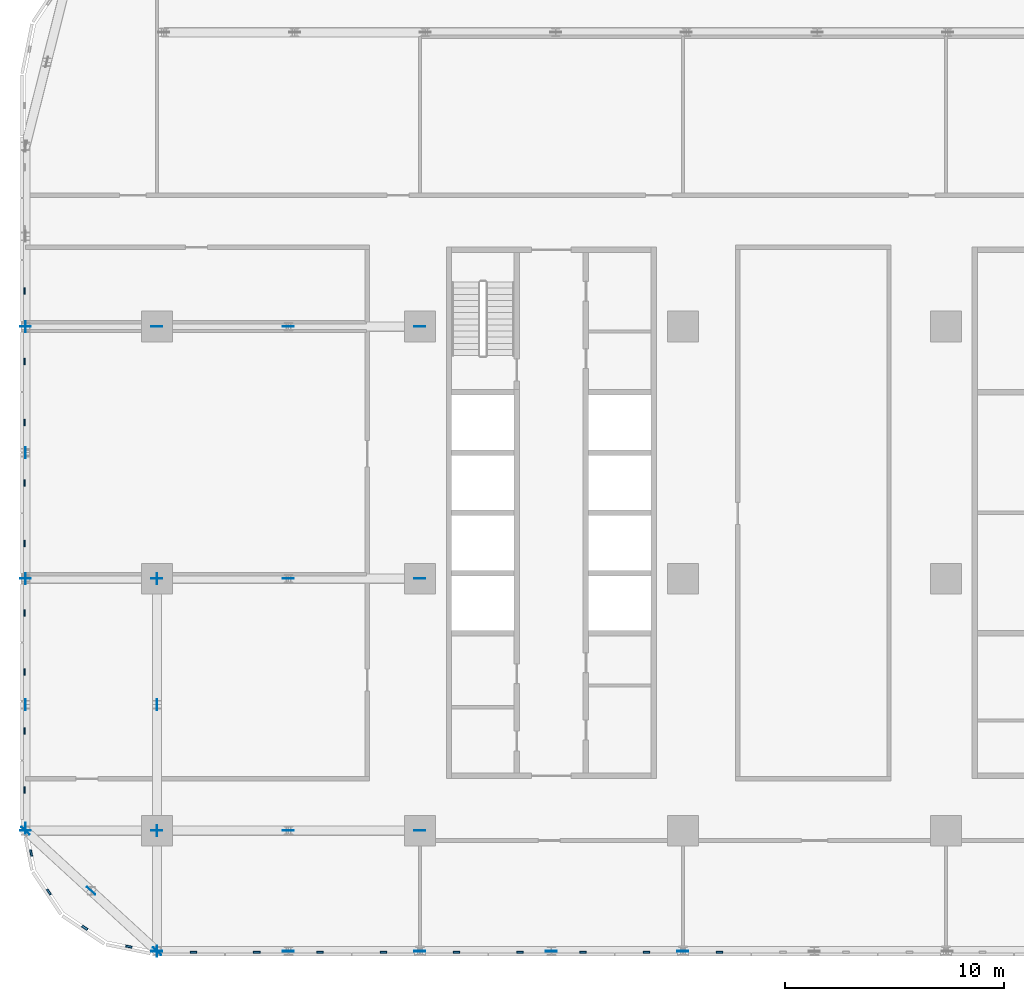
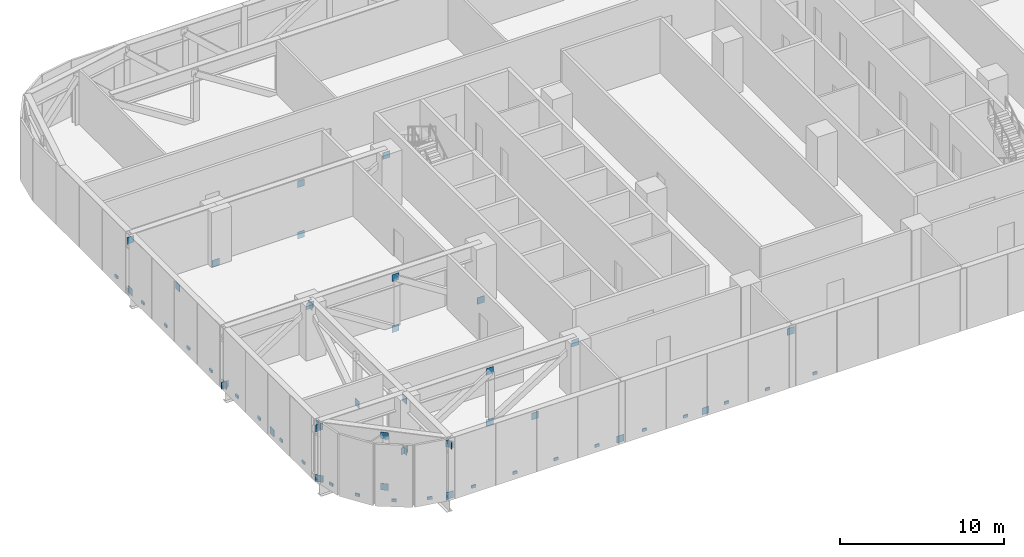
# One storey, part 14 of 26: 56 discrete accessories.
"""IFC4 building model written with IfcOpenShell, lengths in metres."""

from ifc_helpers import new_model, si_unit, direction, frame, origin, origin_2d, place, context, subcontext, project, spatial, rectangle, extrude, material, layer, layer_set, type_object, element, save


model = new_model("IFC4")

# Units and contexts
model_context = context("Model", 3, precision=1e-05, world=origin(), true_north=direction((0.0, 1.0)))
body_context = subcontext(model_context, "Body", "Model", "MODEL_VIEW")
ifc_project = project(units=[si_unit("LENGTHUNIT", "METRE"), si_unit("AREAUNIT", "SQUARE_METRE"), si_unit("VOLUMEUNIT", "CUBIC_METRE"), si_unit("PLANEANGLEUNIT", "RADIAN"), si_unit("MASSUNIT", "GRAM", prefix="KILO")], contexts=[model_context])

# Site, building, storey
site_placement = place(None, origin())
site = spatial("IfcSite", under=ifc_project, at=site_placement, CompositionType="ELEMENT")
building_placement = place(site_placement, origin())
building = spatial("IfcBuilding", under=site, at=building_placement, Name="Mahtab Terrace Research Tower", CompositionType="ELEMENT")
storey_placement = place(building_placement, frame((0.0, 0.0, 117.60009765625)))
storey = spatial("IfcBuildingStorey", under=building, at=storey_placement, Name="L27", CompositionType="ELEMENT", Elevation=117.60009765625)

# Discrete accessories
ifc_material_1 = material(Name="Black anodised aluminium", Category="aluminium")
discrete_accessory_type_1 = type_object("IfcDiscreteAccessoryType", Name="Facade bracket", PredefinedType="BRACKET", material=ifc_material_1)
for number, where, z_axis, x_axis, name in (
    (1, (-48.044921875, 13.128173828125, -0.30029296875), (0.0, 0.0, 1.0), (0.0, -1.0, 0.0), "Louvre bracket L27 59"),
    (2, (-48.044921875, 9.89892578125, -0.30029296875), (0.0, 0.0, 1.0), (0.0, -1.0, 0.0), "Louvre bracket L27 60"),
    (3, (-48.044921875, 7.133056640625, -0.30029296875), (0.0, 0.0, 1.0), (0.0, -1.0, 0.0), "Louvre bracket L27 61"),
    (4, (-48.044921875, 4.366943359375, -0.30029296875), (0.0, 0.0, 1.0), (0.0, -1.0, 0.0), "Louvre bracket L27 62"),
    (5, (-48.044921875, 1.60107421875, -0.30029296875), (0.0, 0.0, 1.0), (0.0, -1.0, 0.0), "Louvre bracket L27 63"),
    (6, (-48.044921875, -1.565673828125, -0.30029296875), (0.0, 0.0, 1.0), (0.0, -1.0, 0.0), "Louvre bracket L27 64"),
    (7, (-48.044921875, -4.26123046875, -0.30029296875), (0.0, 0.0, 1.0), (0.0, -1.0, 0.0), "Louvre bracket L27 65"),
    (8, (-48.044921875, -6.956787109375, -0.30029296875), (0.0, 0.0, 1.0), (0.0, -1.0, 0.0), "Louvre bracket L27 66"),
    (9, (-48.044921875, -9.65234375, -0.30029296875), (0.0, 0.0, 1.0), (0.0, -1.0, 0.0), "Louvre bracket L27 67"),
    (10, (-47.74267578125, -12.52294921875, -0.30029296875), (0.0, 0.0, 1.0), (0.195212442692, -0.980760981187, 0.0), "Louvre bracket L27 68"),
    (11, (-46.930419921875, -14.29443359375, -0.30029296875), (0.0, 0.0, 1.0), (0.555291490808, -0.831655794326, 0.0), "Louvre bracket L27 69"),
    (12, (-45.29443359375, -15.930419921875, -0.30029296875), (0.0, 0.0, 1.0), (0.831655794326, -0.555291490808, 0.0), "Louvre bracket L27 70"),
    (13, (-43.282470703125, -16.79052734375, -0.30029296875), (0.0, 0.0, 1.0), (0.980760981187, -0.195212442692, 0.0), "Louvre bracket L27 71"),
    (14, (-40.33642578125, -17.044921875, -0.30029296875), (0.0, 0.0, 1.0), (1.0, 0.0, 0.0), "Louvre bracket L27 72"),
    (15, (-37.445556640625, -17.044921875, -0.30029296875), (0.0, 0.0, 1.0), (1.0, 0.0, 0.0), "Louvre bracket L27 73"),
    (16, (-34.556884765625, -17.044921875, -0.30029296875), (0.0, 0.0, 1.0), (1.0, 0.0, 0.0), "Louvre bracket L27 74"),
    (17, (-31.6708984375, -17.044921875, -0.30029296875), (0.0, 0.0, 1.0), (1.0, 0.0, 0.0), "Louvre bracket L27 75"),
    (18, (-28.3291015625, -17.044921875, -0.30029296875), (0.0, 0.0, 1.0), (1.0, 0.0, 0.0), "Louvre bracket L27 76"),
    (19, (-25.443115234375, -17.044921875, -0.30029296875), (0.0, 0.0, 1.0), (1.0, 0.0, 0.0), "Louvre bracket L27 77"),
    (20, (-22.556884765625, -17.044921875, -0.30029296875), (0.0, 0.0, 1.0), (1.0, 0.0, 0.0), "Louvre bracket L27 78"),
    (21, (-19.6708984375, -17.044921875, -0.30029296875), (0.0, 0.0, 1.0), (1.0, 0.0, 0.0), "Louvre bracket L27 79"),
    (22, (-16.3291015625, -17.044921875, -0.30029296875), (0.0, 0.0, 1.0), (1.0, 0.0, 0.0), "Louvre bracket L27 80"),
):
    element("IfcDiscreteAccessory", number, at=place(storey_placement, frame(where, z_axis=z_axis, x_axis=x_axis)), inside=storey, type_object=discrete_accessory_type_1, Name=name, PredefinedType="BRACKET", context=body_context, shape_type="SweptSolid", body=[
        extrude(rectangle(XDim=0.300048828125, YDim=0.090087890625, at=origin_2d()), origin(), (0.0, 0.0, 1.0), 0.199951171875),
    ])
ifc_material_2 = material(Name="Steel ASTM A992 Gr 50", Category="steel")
ifc_layer = layer(ifc_material_2, 0.030029296875)
ifc_layer_set = layer_set([ifc_layer], Name="Gusset plate 500x500x30")
discrete_accessory_type_2 = type_object("IfcDiscreteAccessoryType", Name="Gusset plate 500x500x30", PredefinedType="USERDEFINED", material=ifc_layer_set)
for number, where, z_axis, x_axis, name in (
    (23, (-48.0, -11.5, 3.251220703125), (0.0, 0.0, 1.0), (1.0, 0.0, 0.0), "Gusset plate"),
    (24, (-48.0, 0.0, -0.558837890625), (0.0, 0.0, 1.0), (1.0, 0.0, 0.0), "Gusset plate"),
    (25, (-48.0, 11.5, 3.251220703125), (0.0, 0.0, 1.0), (1.0, 0.0, 0.0), "Gusset plate"),
    (26, (-42.0, -17.0, -0.558837890625), (0.0, 0.0, 1.0), (1.0, 0.0, 0.0), "Gusset plate"),
    (27, (-42.0, -11.5, -0.558837890625), (0.0, 0.0, 1.0), (1.0, 0.0, 0.0), "Gusset plate"),
    (28, (-42.0, 0.0, 3.251220703125), (0.0, 0.0, 1.0), (1.0, 0.0, 0.0), "Gusset plate"),
    (29, (-42.0, 11.5, -0.558837890625), (0.0, 0.0, 1.0), (1.0, 0.0, 0.0), "Gusset plate"),
    (30, (-36.0, -17.0, 3.251220703125), (0.0, 0.0, 1.0), (1.0, 0.0, 0.0), "Gusset plate"),
    (31, (-36.0, -11.5, -0.558837890625), (0.0, 0.0, 1.0), (1.0, 0.0, 0.0), "Gusset plate"),
    (32, (-36.0, -11.5, 3.251220703125), (0.0, 0.0, 1.0), (1.0, 0.0, 0.0), "Gusset plate"),
    (33, (-36.0, 0.0, -0.558837890625), (0.0, 0.0, 1.0), (1.0, 0.0, 0.0), "Gusset plate"),
    (34, (-36.0, 0.0, 3.251220703125), (0.0, 0.0, 1.0), (1.0, 0.0, 0.0), "Gusset plate"),
    (35, (-36.0, 11.5, -0.558837890625), (0.0, 0.0, 1.0), (1.0, 0.0, 0.0), "Gusset plate"),
    (36, (-36.0, 11.5, 3.251220703125), (0.0, 0.0, 1.0), (1.0, 0.0, 0.0), "Gusset plate"),
    (37, (-30.0, -17.0, -0.558837890625), (0.0, 0.0, 1.0), (1.0, 0.0, 0.0), "Gusset plate"),
    (38, (-30.0, -11.5, 3.251220703125), (0.0, 0.0, 1.0), (1.0, 0.0, 0.0), "Gusset plate"),
    (39, (-30.0, 0.0, -0.558837890625), (0.0, 0.0, 1.0), (1.0, 0.0, 0.0), "Gusset plate"),
    (40, (-30.0, 11.5, 3.251220703125), (0.0, 0.0, 1.0), (1.0, 0.0, 0.0), "Gusset plate"),
    (41, (-24.0, -17.0, -0.558837890625), (0.0, 0.0, 1.0), (1.0, 0.0, 0.0), "Gusset plate"),
    (42, (-18.0, -17.0, 3.251220703125), (0.0, 0.0, 1.0), (1.0, 0.0, 0.0), "Gusset plate"),
    (43, (-48.0, -11.391357421875, 3.3798828125), (0.0, 0.0, 1.0), (0.0, 1.0, 0.0), "Gusset plate"),
    (44, (-48.0, -5.75, -0.558837890625), (0.0, 0.0, 1.0), (0.0, 1.0, 0.0), "Gusset plate"),
    (45, (-48.0, 0.0, -0.558837890625), (0.0, 0.0, 1.0), (0.0, 1.0, 0.0), "Gusset plate"),
    (46, (-48.0, 5.75, 3.251220703125), (0.0, 0.0, 1.0), (0.0, 1.0, 0.0), "Gusset plate"),
    (47, (-48.0, 11.5, -0.558837890625), (0.0, 0.0, 1.0), (0.0, 1.0, 0.0), "Gusset plate"),
    (48, (-42.0, -17.0, 3.251220703125), (0.0, 0.0, 1.0), (0.0, 1.0, 0.0), "Gusset plate"),
    (49, (-42.0, -11.5, -0.558837890625), (0.0, 0.0, 1.0), (0.0, 1.0, 0.0), "Gusset plate"),
    (50, (-42.0, -11.5, 3.251220703125), (0.0, 0.0, 1.0), (0.0, 1.0, 0.0), "Gusset plate"),
    (51, (-42.0, -5.75, -0.558837890625), (0.0, 0.0, 1.0), (0.0, 1.0, 0.0), "Gusset plate"),
    (52, (-42.0, 0.0, 3.251220703125), (0.0, 0.0, 1.0), (0.0, 1.0, 0.0), "Gusset plate"),
    (53, (-48.0, -11.5, -0.558837890625), (0.0, 0.0, 1.0), (-0.737159412846, 0.675718876495, 0.0), "Gusset plate"),
    (54, (-45.0, -14.25, -0.558837890625), (0.0, 0.0, 1.0), (-0.737159412846, 0.675718876495, 0.0), "Gusset plate"),
    (55, (-45.0, -14.25, 3.251220703125), (0.0, 0.0, 1.0), (-0.737159412846, 0.675718876495, 0.0), "Gusset plate"),
    (56, (-42.0, -17.0, 3.251220703125), (0.0, 0.0, 1.0), (-0.737159412846, 0.675718876495, 0.0), "Gusset plate"),
):
    element("IfcDiscreteAccessory", number, at=place(storey_placement, frame(where, z_axis=z_axis, x_axis=x_axis)), inside=storey, type_object=discrete_accessory_type_2, Name=name, ObjectType="GUSSET PLATE", PredefinedType="USERDEFINED", context=body_context, shape_type="SweptSolid", body=[
        extrude(rectangle(XDim=0.5, YDim=0.030029296875, at=origin_2d()), origin(), (0.0, 0.0, 1.0), 0.5),
    ])

save(model, "model.ifc")
